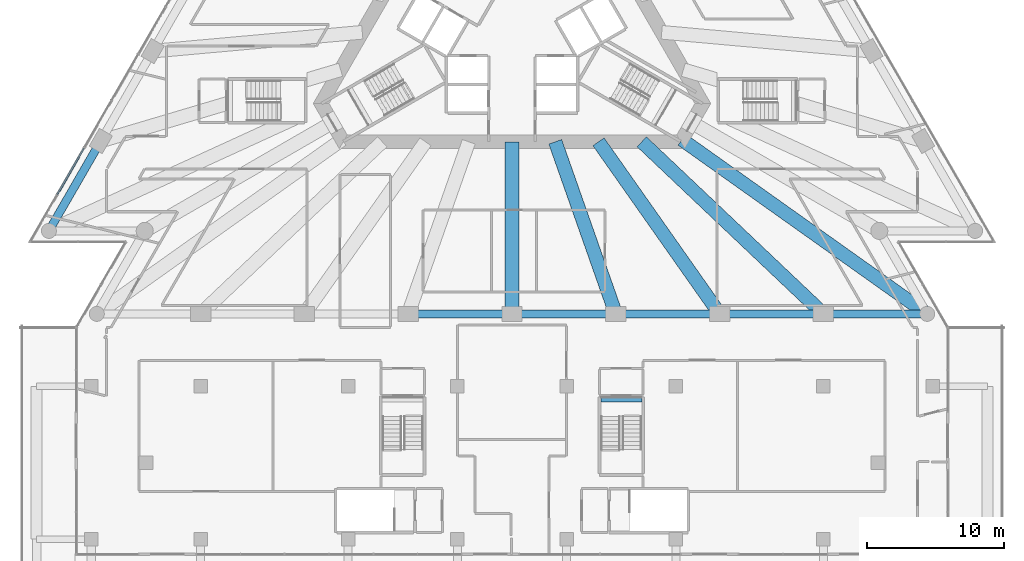
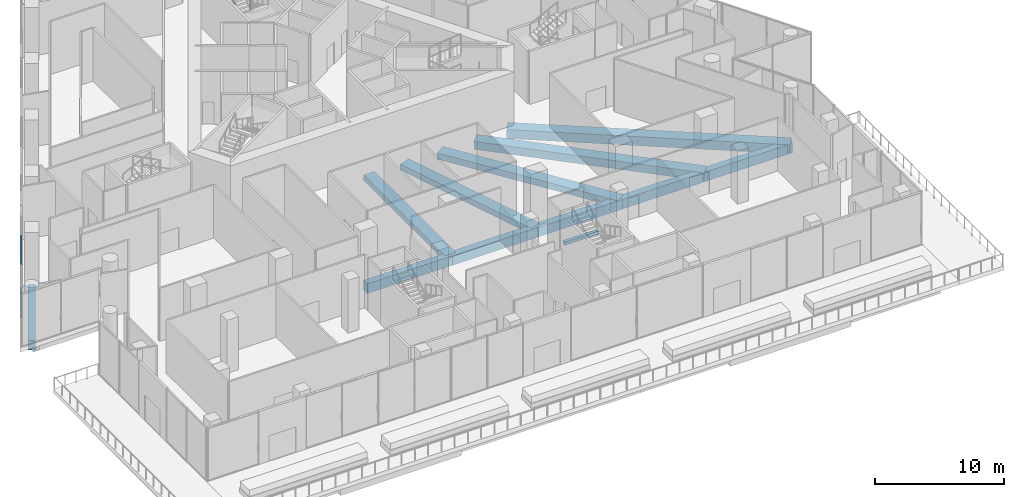
# One storey, part 8 of 32: 12 beams, 2 members, 1 element without a shape of its own.
"""IFC4 building model written with IfcOpenShell, lengths in metres."""

import ifcopenshell
import ifcopenshell.guid

model = None  # the IFC model being written
_history = None  # IfcOwnerHistory: only IFC2X3 demands one
_inside = {}  # id of a spatial element -> (the spatial element, [elements in it])
_under = {}  # id of a project, library or spatial element -> (it, [spatial elements below it])
_declared = {}  # id of a project -> (the project, [libraries it declares])
_typed = {}  # id of a type object -> (the type object, [elements of that type])
_made_of = {}  # id of a material, layer set ... -> (it, [elements and type objects made of it])


def new_model(schema):
    """Start an empty IFC model of exactly this schema.

    Asked for "IFC4X3", IfcOpenShell would pick the latest addendum, in which some entities
    have other attributes; the version numbers below select the first issue.
    IFC2X3 requires an IfcOwnerHistory on every rooted entity: one is made here for all.
    """
    global model, _history
    if schema == "IFC4X3":
        model = ifcopenshell.file(schema_version=(4, 3, 0, 0))
    else:
        model = ifcopenshell.file(schema=schema)
    _inside.clear()
    _under.clear()
    _declared.clear()
    _typed.clear()
    _made_of.clear()
    _history = None
    if model.schema == "IFC2X3":
        org = make("IfcOrganization", Name="unknown")
        user = make(
            "IfcPersonAndOrganization",
            ThePerson=make("IfcPerson", FamilyName="unknown"),
            TheOrganization=org,
        )
        app = make(
            "IfcApplication",
            ApplicationDeveloper=org,
            Version="unknown",
            ApplicationFullName="unknown",
            ApplicationIdentifier="unknown",
        )
        _history = make(
            "IfcOwnerHistory",
            OwningUser=user,
            OwningApplication=app,
            ChangeAction="ADDED",
            CreationDate=0,
        )
    return model


def make(cls, **values):
    """One entity of the class cls with the attributes given. An attribute that is None is left unset."""
    return model.create_entity(
        cls, **{name: value for name, value in values.items() if value is not None}
    )


def rooted(cls, **values):
    """An entity with a GlobalId (a new one), such as an element, a storey or a relation."""
    return make(cls, GlobalId=ifcopenshell.guid.new(), OwnerHistory=_history, **values)


def si_unit(unit_type, name, prefix=None):
    """IfcSIUnit, for example si_unit("LENGTHUNIT", "METRE", prefix="MILLI")."""
    return make("IfcSIUnit", UnitType=unit_type, Prefix=prefix, Name=name)


def assignment(units):
    """IfcUnitAssignment: the units of a project."""
    return None if units is None else make("IfcUnitAssignment", Units=units)


def point(xyz):
    """IfcCartesianPoint."""
    return None if xyz is None else make("IfcCartesianPoint", Coordinates=xyz)


def direction(xyz):
    """IfcDirection."""
    return None if xyz is None else make("IfcDirection", DirectionRatios=xyz)


def frame(location, z_axis=None, x_axis=None):
    """IfcAxis2Placement3D, a coordinate frame: its origin and axes. An axis left out is left unset."""
    return make(
        "IfcAxis2Placement3D",
        Location=point(location),
        Axis=direction(z_axis),
        RefDirection=direction(x_axis),
    )


def frame_2d(location, x_axis=None):
    """IfcAxis2Placement2D, a coordinate frame in the plane: its origin and x axis."""
    return make(
        "IfcAxis2Placement2D", Location=point(location), RefDirection=direction(x_axis)
    )


def origin():
    """The frame at (0, 0, 0) with its axes left unset."""
    return frame((0.0, 0.0, 0.0))


def origin_2d():
    """The frame at (0, 0) in the plane with its x axis left unset."""
    return frame_2d((0.0, 0.0))


def place(relative_to, where):
    """IfcLocalPlacement: puts the frame where relative to a parent placement (None: the world)."""
    return make(
        "IfcLocalPlacement", PlacementRelTo=relative_to, RelativePlacement=where
    )


def context(
    kind, dimensions, precision=None, world=None, true_north=None, identifier=None
):
    """IfcGeometricRepresentationContext, for example the 3D "Model" context."""
    return make(
        "IfcGeometricRepresentationContext",
        ContextIdentifier=identifier,
        ContextType=kind,
        CoordinateSpaceDimension=dimensions,
        Precision=precision,
        WorldCoordinateSystem=world,
        TrueNorth=true_north,
    )


def subcontext(parent, identifier, kind, view, scale=None):
    """IfcGeometricRepresentationSubContext, for example "Body" below "Model"."""
    return make(
        "IfcGeometricRepresentationSubContext",
        ContextIdentifier=identifier,
        ContextType=kind,
        ParentContext=parent,
        TargetScale=scale,
        TargetView=view,
    )


def project(units=None, contexts=None):
    """IfcProject with its units and contexts."""
    return rooted(
        "IfcProject",
        Name="project",
        RepresentationContexts=contexts,
        UnitsInContext=assignment(units),
    )


def spatial(cls, under=None, at=None, **own):
    """A site, building, storey or space (cls), placed at a placement, below another one or the project."""
    s = rooted(cls, ObjectPlacement=at, **own)
    if under is not None:
        _under.setdefault(under.id(), (under, []))[1].append(s)
    return s


def profile(cls, at=None, kind="AREA", **sizes):
    """A parametric profile (cls). Its sizes go by their IFC names, for example OverallWidth=200.0."""
    return make(cls, ProfileType=kind, Position=at, **sizes)


def rectangle(**sizes):
    """IfcRectangleProfileDef."""
    return profile("IfcRectangleProfileDef", **sizes)


def extrude(swept, where, along, depth):
    """IfcExtrudedAreaSolid: the profile swept, set in the frame where, extruded along a direction by depth."""
    return make(
        "IfcExtrudedAreaSolid",
        SweptArea=swept,
        Position=where,
        ExtrudedDirection=direction(along),
        Depth=depth,
    )


def shape(context_of_items, identifier, shape_type, items):
    """IfcShapeRepresentation: the items that make up one representation, for example the "Body"."""
    return make(
        "IfcShapeRepresentation",
        ContextOfItems=context_of_items,
        RepresentationIdentifier=identifier,
        RepresentationType=shape_type,
        Items=items,
    )


def material(Name=None, Category=None):
    """IfcMaterial."""
    return make("IfcMaterial", Name=Name, Category=Category)


def layer(
    of_material, thickness, ventilated=None, Name=None, Category=None, Priority=None
):
    """IfcMaterialLayer: one layer of a wall or slab, of a material (None: an air gap)."""
    return make(
        "IfcMaterialLayer",
        Material=of_material,
        LayerThickness=thickness,
        IsVentilated=ventilated,
        Name=Name,
        Category=Category,
        Priority=Priority,
    )


def layer_set(layers, Name=None):
    """IfcMaterialLayerSet."""
    return make("IfcMaterialLayerSet", MaterialLayers=layers, LayerSetName=Name)


def material_profile(
    of_material, cross_section, Name=None, Category=None, Priority=None
):
    """IfcMaterialProfile: a cross section and its material."""
    return make(
        "IfcMaterialProfile",
        Name=Name,
        Material=of_material,
        Profile=cross_section,
        Priority=Priority,
        Category=Category,
    )


def profile_set(profiles, Name=None, composite=None):
    """IfcMaterialProfileSet."""
    return make(
        "IfcMaterialProfileSet",
        Name=Name,
        MaterialProfiles=profiles,
        CompositeProfile=composite,
    )


def made_of(thing, what):
    """Note that an element or type object is made of a material, layer set ...; save() writes the relation."""
    if what is not None:
        _made_of.setdefault(what.id(), (what, []))[1].append(thing)
    return thing


def type_object(cls, material=None, **own):
    """A type object (cls), such as IfcWallType, which elements share."""
    return made_of(rooted(cls, **own), material)


def element(
    cls,
    number,
    at=None,
    inside=None,
    cuts=None,
    type_object=None,
    material=None,
    context=None,
    identifier="Body",
    shape_type=None,
    held_by="IfcProductDefinitionShape",
    body=None,
    shapes=None,
    **own,
):
    """One element of the class cls, such as IfcWall. Its Tag is "e" and its number.

    at: its placement. inside: the storey or other place that contains it. cuts: it is an
    opening in that element (IfcRelVoidsElement). A single representation is given by context,
    identifier, shape_type and body (its items); several are given by shapes. held_by: the class
    of the entity that holds the representations. save() writes the other relations.
    """
    e = rooted(cls, Tag="e%d" % number, ObjectPlacement=at, **own)
    if body is not None:
        shapes = [shape(context, identifier, shape_type, body)]
    if shapes is not None:
        e.Representation = make(held_by, Representations=shapes)
    if inside is not None:
        _inside.setdefault(inside.id(), (inside, []))[1].append(e)
    if cuts is not None:
        rooted(
            "IfcRelVoidsElement", RelatingBuildingElement=cuts, RelatedOpeningElement=e
        )
    if type_object is not None:
        _typed.setdefault(type_object.id(), (type_object, []))[1].append(e)
    return made_of(e, material)


def aggregate(whole, parts):
    """IfcRelAggregates: a whole, such as a stair, and the parts it consists of."""
    return rooted("IfcRelAggregates", RelatingObject=whole, RelatedObjects=parts)


def save(model, path):
    """Write the relations noted so far, then the file.

    IfcRelAggregates (storeys below a building ...), IfcRelContainedInSpatialStructure (elements
    in a storey), IfcRelDefinesByType, IfcRelAssociatesMaterial and IfcRelDeclares: one each for
    every whole, place, type object, material and project.
    """
    for whole, parts in _under.values():
        aggregate(whole, parts)
    for where, things in _inside.values():
        rooted(
            "IfcRelContainedInSpatialStructure",
            RelatedElements=things,
            RelatingStructure=where,
        )
    for kind, things in _typed.values():
        rooted("IfcRelDefinesByType", RelatedObjects=things, RelatingType=kind)
    for what, things in _made_of.values():
        rooted("IfcRelAssociatesMaterial", RelatedObjects=things, RelatingMaterial=what)
    for by, libraries in _declared.values():
        rooted("IfcRelDeclares", RelatingContext=by, RelatedDefinitions=libraries)
    model.write(path)


model = new_model("IFC4")

# Units and contexts
model_context = context("Model", 3, precision=1e-05, world=origin(), true_north=direction((0.0, 1.0)))
body_context = subcontext(model_context, "Body", "Model", "MODEL_VIEW")
ifc_project = project(units=[si_unit("LENGTHUNIT", "METRE"), si_unit("AREAUNIT", "SQUARE_METRE"), si_unit("VOLUMEUNIT", "CUBIC_METRE"), si_unit("PLANEANGLEUNIT", "RADIAN"), si_unit("MASSUNIT", "GRAM", prefix="KILO")], contexts=[model_context])

# Site, building, storey
site_placement = place(None, origin())
site = spatial("IfcSite", under=ifc_project, at=site_placement, CompositionType="ELEMENT")
building_placement = place(site_placement, origin())
building = spatial("IfcBuilding", under=site, at=building_placement, Name="Triada Interchange Tower", CompositionType="ELEMENT")
storey_placement = place(building_placement, frame((0.0, 0.0, 14.5)))
storey = spatial("IfcBuildingStorey", under=building, at=storey_placement, Name="L02", CompositionType="ELEMENT", Elevation=14.5)

# Beams
ifc_material_1 = material(Name="Concrete C35/45", Category="concrete")
ifc_material_profile_1 = material_profile(ifc_material_1, rectangle(XDim=0.300048828125, YDim=0.300048828125, at=origin_2d()), Name="RC 300x300")
ifc_profile_set_1 = profile_set([ifc_material_profile_1], Name="Concrete C35/45")
beam_type_1 = type_object("IfcBeamType", Name="Landing support beam RC 300x300", PredefinedType="BEAM", material=ifc_profile_set_1)
beam_1_placement = place(storey_placement, frame((9.5, -27.89990234375, 2.191162109375), z_axis=(-1.0, 0.0, 0.0), x_axis=(0.0, -1.0, 0.0)))
element("IfcBeam", 1, at=beam_1_placement, inside=storey, type_object=beam_type_1, Name="Landing support beam S02-10 1", PredefinedType="BEAM", context=body_context, shape_type="SweptSolid", body=[
    extrude(rectangle(XDim=0.300048828125, YDim=0.300048828125, at=origin_2d()), origin(), (0.0, 0.0, 1.0), 3.0),
])
ifc_material_2 = material(Name="Concrete C50/60", Category="concrete")
ifc_material_profile_2 = material_profile(ifc_material_2, rectangle(XDim=1.0, YDim=0.5, at=origin_2d()), Name="RC 1000x500")
ifc_profile_set_2 = profile_set([ifc_material_profile_2], Name="Concrete C50/60")
beam_type_2 = type_object("IfcBeamType", Name="Radial band beam P RC 1000x500", PredefinedType="BEAM", material=ifc_profile_set_2)
beam_2_placement = place(storey_placement, frame((0.0, -21.60009765625, -0.64990234375), z_axis=(0.0, 1.0, 0.0), x_axis=(-1.0, 0.0, 0.0)))
element("IfcBeam", 2, at=beam_2_placement, inside=storey, type_object=beam_type_2, Name="Radial band beam BP15 L02", PredefinedType="BEAM", context=body_context, shape_type="SweptSolid", body=[
    extrude(rectangle(XDim=1.0, YDim=0.5, at=origin_2d()), origin(), (0.0, 0.0, 1.0), 12.60009765625),
])
ifc_material_profile_3 = material_profile(ifc_material_2, rectangle(XDim=1.0, YDim=0.550048828125, at=origin_2d()), Name="RC 1000x550")
ifc_profile_set_3 = profile_set([ifc_material_profile_3], Name="Concrete C50/60")
beam_type_3 = type_object("IfcBeamType", Name="Radial band beam P RC 1000x550", PredefinedType="BEAM", material=ifc_profile_set_3)
beam_3_placement = place(storey_placement, frame((7.59912109375, -21.60009765625, -0.675048828125), z_axis=(-0.331888742463, 0.943318537201, 0.0), x_axis=(-0.943318537201, -0.331888742463, 0.0)))
element("IfcBeam", 3, at=beam_3_placement, inside=storey, type_object=beam_type_3, Name="Radial band beam BP16 L02", PredefinedType="BEAM", context=body_context, shape_type="SweptSolid", body=[
    extrude(rectangle(XDim=1.0, YDim=0.550048828125, at=origin_2d()), origin(), (0.0, 0.0, 1.0), 13.357177734375),
])
ifc_material_profile_4 = material_profile(ifc_material_2, rectangle(XDim=1.0, YDim=0.60009765625, at=origin_2d()), Name="RC 1000x600")
ifc_profile_set_4 = profile_set([ifc_material_profile_4], Name="Concrete C50/60")
beam_type_4 = type_object("IfcBeamType", Name="Radial band beam P RC 1000x600", PredefinedType="BEAM", material=ifc_profile_set_4)
beam_4_placement = place(storey_placement, frame((15.198974609375, -21.60009765625, -0.699951171875), z_axis=(-0.575460041142, 0.81782989738, 0.0), x_axis=(-0.81782989738, -0.575460041142, 0.0)))
element("IfcBeam", 4, at=beam_4_placement, inside=storey, type_object=beam_type_4, Name="Radial band beam BP17 L02", PredefinedType="BEAM", context=body_context, shape_type="SweptSolid", body=[
    extrude(rectangle(XDim=1.0, YDim=0.60009765625, at=origin_2d()), origin(), (0.0, 0.0, 1.0), 15.40673828125),
])
ifc_material_profile_5 = material_profile(ifc_material_2, rectangle(XDim=1.0, YDim=0.75, at=origin_2d()), Name="RC 1000x750")
ifc_profile_set_5 = profile_set([ifc_material_profile_5], Name="Concrete C50/60")
beam_type_5 = type_object("IfcBeamType", Name="Radial band beam P RC 1000x750", PredefinedType="BEAM", material=ifc_profile_set_5)
beam_5_placement = place(storey_placement, frame((22.798095703125, -21.60009765625, -0.77490234375), z_axis=(-0.725926069578, 0.687772739723, 0.0), x_axis=(-0.687772739723, -0.725926069578, 0.0)))
element("IfcBeam", 5, at=beam_5_placement, inside=storey, type_object=beam_type_5, Name="Radial band beam BP18 L02", PredefinedType="BEAM", context=body_context, shape_type="SweptSolid", body=[
    extrude(rectangle(XDim=1.0, YDim=0.75, at=origin_2d()), origin(), (0.0, 0.0, 1.0), 18.320068359375),
])
ifc_material_profile_6 = material_profile(ifc_material_2, rectangle(XDim=1.0, YDim=0.85009765625, at=origin_2d()), Name="RC 1000x850")
ifc_profile_set_6 = profile_set([ifc_material_profile_6], Name="Concrete C50/60")
beam_type_6 = type_object("IfcBeamType", Name="Radial band beam P RC 1000x850", PredefinedType="BEAM", material=ifc_profile_set_6)
beam_6_placement = place(storey_placement, frame((30.39697265625, -21.60009765625, -0.824951171875), z_axis=(-0.815163189691, 0.579231364977, 0.0), x_axis=(-0.579231364977, -0.815163189691, 0.0)))
element("IfcBeam", 6, at=beam_6_placement, inside=storey, type_object=beam_type_6, Name="Radial band beam BP19 L02", PredefinedType="BEAM", context=body_context, shape_type="SweptSolid", body=[
    extrude(rectangle(XDim=1.0, YDim=0.85009765625, at=origin_2d()), origin(), (0.0, 0.0, 1.0), 22.0224609375),
])
ifc_material_profile_7 = material_profile(ifc_material_2, rectangle(XDim=0.60009765625, YDim=0.89990234375, at=origin_2d()), Name="RC 600x900")
ifc_profile_set_7 = profile_set([ifc_material_profile_7], Name="Concrete C50/60")
beam_type_7 = type_object("IfcBeamType", Name="Spandrel beam P RC 600x900", PredefinedType="BEAM", material=ifc_profile_set_7)
for number, where, z_axis, x_axis, name in (
    (7, (-30.10498046875, -8.944091796875, -0.85009765625), (-0.500060803479, -0.865990296034, 0.0), (0.865990296034, -0.500060803479, 0.0), "Spandrel beam EP08 L02"),
    (8, (-7.59912109375, -21.60009765625, -0.85009765625), (1.0, 0.0, 0.0), (0.0, 1.0, 0.0), "Spandrel beam EP14 L02"),
    (9, (0.0, -21.60009765625, -0.85009765625), (1.0, 0.0, 0.0), (0.0, 1.0, 0.0), "Spandrel beam EP15 L02"),
):
    element("IfcBeam", number, at=place(storey_placement, frame(where, z_axis=z_axis, x_axis=x_axis)), inside=storey, type_object=beam_type_7, Name=name, PredefinedType="BEAM", context=body_context, shape_type="SweptSolid", body=[
        extrude(rectangle(XDim=0.60009765625, YDim=0.89990234375, at=origin_2d()), origin(), (0.0, 0.0, 1.0), 7.59912109375),
    ])
beam_7_placement = place(storey_placement, frame((7.59912109375, -21.60009765625, -0.85009765625), z_axis=(1.0, 0.0, 0.0), x_axis=(0.0, 1.0, 0.0)))
element("IfcBeam", 10, at=beam_7_placement, inside=storey, type_object=beam_type_7, Name="Spandrel beam EP16 L02", PredefinedType="BEAM", context=body_context, shape_type="SweptSolid", body=[
    extrude(rectangle(XDim=0.60009765625, YDim=0.89990234375, at=origin_2d()), origin(), (0.0, 0.0, 1.0), 7.599853515625),
])
beam_8_placement = place(storey_placement, frame((15.198974609375, -21.60009765625, -0.85009765625), z_axis=(1.0, 0.0, 0.0), x_axis=(0.0, 1.0, 0.0)))
element("IfcBeam", 11, at=beam_8_placement, inside=storey, type_object=beam_type_7, Name="Spandrel beam EP17 L02", PredefinedType="BEAM", context=body_context, shape_type="SweptSolid", body=[
    extrude(rectangle(XDim=0.60009765625, YDim=0.89990234375, at=origin_2d()), origin(), (0.0, 0.0, 1.0), 7.59912109375),
])
beam_9_placement = place(storey_placement, frame((22.798095703125, -21.60009765625, -0.85009765625), z_axis=(1.0, 0.0, 0.0), x_axis=(0.0, 1.0, 0.0)))
element("IfcBeam", 12, at=beam_9_placement, inside=storey, type_object=beam_type_7, Name="Spandrel beam EP18 L02", PredefinedType="BEAM", context=body_context, shape_type="SweptSolid", body=[
    extrude(rectangle(XDim=0.60009765625, YDim=0.89990234375, at=origin_2d()), origin(), (0.0, 0.0, 1.0), 7.598876953125),
])

# Curtain wall, members
ifc_material_3 = material(Name="Aluminium framed glazing", Category="aluminium")
ifc_layer = layer(ifc_material_3, 0.199951171875)
ifc_layer_set = layer_set([ifc_layer], Name="Curtain wall Retail shopfront")
curtain_wall_type = type_object("IfcCurtainWallType", Name="Curtain wall Retail shopfront", PredefinedType="NOTDEFINED", material=ifc_layer_set)
curtain_wall_placement = place(storey_placement, origin())
curtain_wall = element("IfcCurtainWall", 13, at=curtain_wall_placement, inside=storey, type_object=curtain_wall_type, Name="Retail shopfront CW030 L02", PredefinedType="NOTDEFINED")
ifc_material_4 = material(Name="Aluminium", Category="aluminium")
ifc_material_profile_8 = material_profile(ifc_material_4, rectangle(XDim=0.1201171875, YDim=0.050048828125, at=origin_2d()), Name="Aluminium transom")
ifc_profile_set_8 = profile_set([ifc_material_profile_8], Name="Aluminium")
member_type = type_object("IfcMemberType", Name="Transom Retail shopfront 120x50", PredefinedType="USERDEFINED", material=ifc_profile_set_8)
member_1_placement = place(storey_placement, frame((-31.345947265625, -9.4912109375, 0.02490234375), z_axis=(-0.499961171201, -0.866047820441, 0.0), x_axis=(0.866047820441, -0.499961171201, 0.0)))
member_1 = element("IfcMember", 14, at=member_1_placement, type_object=member_type, Name="CW030 transom 1.1", ObjectType="TRANSOM", PredefinedType="USERDEFINED", context=body_context, shape_type="SweptSolid", body=[
    extrude(rectangle(XDim=0.1201171875, YDim=0.050048828125, at=origin_2d()), origin(), (0.0, 0.0, 1.0), 3.895263671875),
])
member_2_placement = place(storey_placement, frame((-31.345947265625, -9.4912109375, 4.97509765625), z_axis=(-0.499961171201, -0.866047820441, 0.0), x_axis=(0.866047820441, -0.499961171201, 0.0)))
member_2 = element("IfcMember", 15, at=member_2_placement, type_object=member_type, Name="CW030 transom 1.2", ObjectType="TRANSOM", PredefinedType="USERDEFINED", context=body_context, shape_type="SweptSolid", body=[
    extrude(rectangle(XDim=0.1201171875, YDim=0.050048828125, at=origin_2d()), origin(), (0.0, 0.0, 1.0), 3.895263671875),
])
aggregate(curtain_wall, [member_1, member_2])

save(model, "model.ifc")
